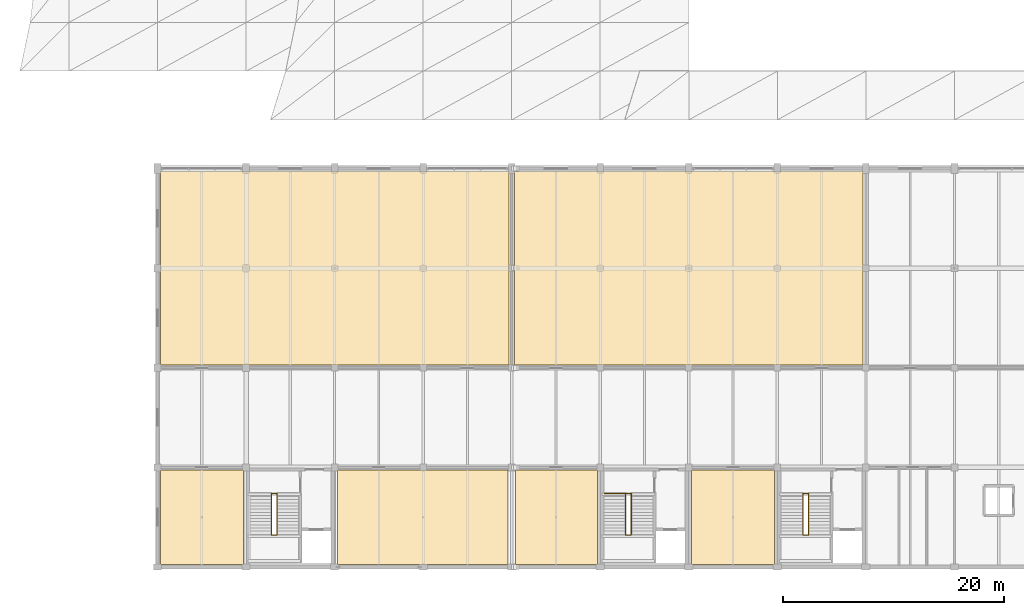
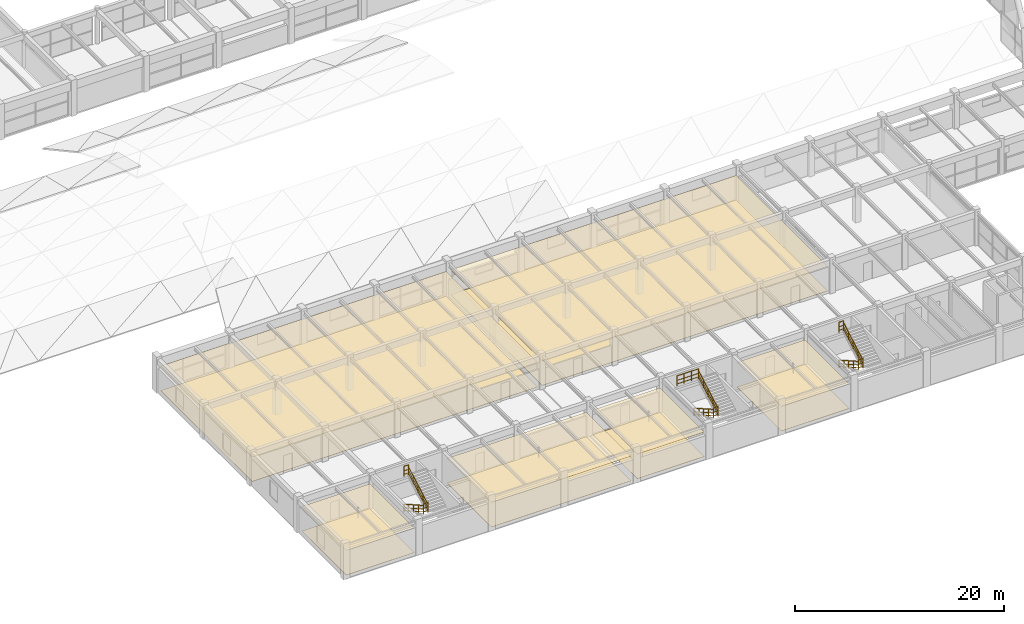
# One storey, part 122 of 126: 12 coverings, 12 railings.
"""IFC4 building model written with IfcOpenShell, lengths in metres."""

from ifc_helpers import new_model, si_unit, direction, frame, origin, origin_2d, place, context, subcontext, project, spatial, polyline, circle, outline, extrude, material, layer, layer_set, type_object, element, save


model = new_model("IFC4")

# Units and contexts
model_context = context("Model", 3, precision=1e-05, world=origin(), true_north=direction((0.0, 1.0)))
body_context = subcontext(model_context, "Body", "Model", "MODEL_VIEW")
ifc_project = project(units=[si_unit("LENGTHUNIT", "METRE"), si_unit("AREAUNIT", "SQUARE_METRE"), si_unit("VOLUMEUNIT", "CUBIC_METRE"), si_unit("PLANEANGLEUNIT", "RADIAN"), si_unit("MASSUNIT", "GRAM", prefix="KILO")], contexts=[model_context])

# Site, building, storey
site_placement = place(None, origin())
site = spatial("IfcSite", under=ifc_project, at=site_placement, CompositionType="ELEMENT")
building_placement = place(site_placement, origin())
building = spatial("IfcBuilding", under=site, at=building_placement, Name="Varnabhumi Central Station", CompositionType="ELEMENT")
storey_placement = place(building_placement, frame((0.0, 0.0, 16.199951171875)))
storey = spatial("IfcBuildingStorey", under=building, at=storey_placement, Name="L03", CompositionType="ELEMENT", Elevation=16.199951171875)

# Coverings
ifc_material_1 = material(Name="Mineral-fibre acoustic tile")
ifc_layer_1 = layer(ifc_material_1, 0.02490234375, Name="Mineral-fibre acoustic tile")
ifc_layer_set_1 = layer_set([ifc_layer_1], Name="Mineral-fibre acoustic tile")
covering_type_1 = type_object("IfcCoveringType", Name="COV-CEIL-ACOUSTIC", PredefinedType="CEILING", material=ifc_layer_set_1)
covering_1_placement = place(storey_placement, frame((0.0, 0.0, 2.8701171875)))
element("IfcCovering", 1, at=covering_1_placement, inside=storey, type_object=covering_type_1, Name="Station Master Panel Cabin and SM-OCIP Acoustic Ceiling", PredefinedType="CEILING", context=body_context, shape_type="SweptSolid", body=[
    extrude(outline(polyline([(32.25, 18.25), (63.75, 18.25), (63.75, 35.75), (32.25, 35.75), (32.25, 18.25)])), origin(), (0.0, 0.0, 1.0), 0.02490234375),
])
covering_2_placement = place(storey_placement, frame((0.0, 0.0, 2.8701171875)))
element("IfcCovering", 2, at=covering_2_placement, inside=storey, type_object=covering_type_1, Name="Station Control Room Acoustic Ceiling", PredefinedType="CEILING", context=body_context, shape_type="SweptSolid", body=[
    extrude(outline(polyline([(64.25, 18.25), (95.75, 18.25), (95.75, 35.75), (64.25, 35.75), (64.25, 18.25)])), origin(), (0.0, 0.0, 1.0), 0.02490234375),
])
covering_3_placement = place(storey_placement, frame((0.0, 0.0, 2.8701171875)))
element("IfcCovering", 3, at=covering_3_placement, inside=storey, type_object=covering_type_1, Name="Duty Operations Briefing Room Acoustic Ceiling", PredefinedType="CEILING", context=body_context, shape_type="SweptSolid", body=[
    extrude(outline(polyline([(32.25, 0.25), (39.75, 0.25), (39.75, 8.75), (32.25, 8.75), (32.25, 0.25)])), origin(), (0.0, 0.0, 1.0), 0.02490234375),
])
covering_4_placement = place(storey_placement, frame((0.0, 0.0, 2.8701171875)))
element("IfcCovering", 4, at=covering_4_placement, inside=storey, type_object=covering_type_1, Name="Integrated CCTV and Security Analytics Room Acoustic Ceiling", PredefinedType="CEILING", context=body_context, shape_type="SweptSolid", body=[
    extrude(outline(polyline([(80.25, 0.25), (87.75, 0.25), (87.75, 8.75), (80.25, 8.75), (80.25, 0.25)])), origin(), (0.0, 0.0, 1.0), 0.02490234375),
])
covering_5_placement = place(storey_placement, frame((0.0, 0.0, 2.8701171875)))
element("IfcCovering", 5, at=covering_5_placement, inside=storey, type_object=covering_type_1, Name="Railway Security Radio Control Room Acoustic Ceiling", PredefinedType="CEILING", context=body_context, shape_type="SweptSolid", body=[
    extrude(outline(polyline([(48.25, 0.25), (63.64990234375, 0.25), (63.64990234375, 8.75), (48.25, 8.75), (48.25, 0.25)])), origin(), (0.0, 0.0, 1.0), 0.02490234375),
])
covering_6_placement = place(storey_placement, frame((0.0, 0.0, 2.8701171875)))
element("IfcCovering", 6, at=covering_6_placement, inside=storey, type_object=covering_type_1, Name="Railway Security Radio Control Room Acoustic Ceiling", PredefinedType="CEILING", context=body_context, shape_type="SweptSolid", body=[
    extrude(outline(polyline([(64.35009765625, 0.25), (71.75, 0.25), (71.75, 8.75), (64.35009765625, 8.75), (64.35009765625, 0.25)])), origin(), (0.0, 0.0, 1.0), 0.02490234375),
])
ifc_material_2 = material(Name="Vitrified granite stone flooring", Category="masonry")
ifc_layer_2 = layer(ifc_material_2, 0.030029296875, Name="Vitrified granite stone flooring", Category="masonry")
ifc_layer_set_2 = layer_set([ifc_layer_2], Name="Vitrified granite stone flooring")
covering_type_2 = type_object("IfcCoveringType", Name="COV-FLOR-GRANITE", PredefinedType="FLOORING", material=ifc_layer_set_2)
covering_7_placement = place(storey_placement, origin())
element("IfcCovering", 7, at=covering_7_placement, inside=storey, type_object=covering_type_2, Name="Station Master Panel Cabin and SM-OCIP Granite Flooring", PredefinedType="FLOORING", context=body_context, shape_type="SweptSolid", body=[
    extrude(outline(polyline([(32.25, 18.25), (63.75, 18.25), (63.75, 35.75), (32.25, 35.75), (32.25, 18.25)])), origin(), (0.0, 0.0, 1.0), 0.030029296875),
])
covering_8_placement = place(storey_placement, origin())
element("IfcCovering", 8, at=covering_8_placement, inside=storey, type_object=covering_type_2, Name="Station Control Room Granite Flooring", PredefinedType="FLOORING", context=body_context, shape_type="SweptSolid", body=[
    extrude(outline(polyline([(64.25, 18.25), (95.75, 18.25), (95.75, 35.75), (64.25, 35.75), (64.25, 18.25)])), origin(), (0.0, 0.0, 1.0), 0.030029296875),
])
covering_9_placement = place(storey_placement, origin())
element("IfcCovering", 9, at=covering_9_placement, inside=storey, type_object=covering_type_2, Name="Duty Operations Briefing Room Granite Flooring", PredefinedType="FLOORING", context=body_context, shape_type="SweptSolid", body=[
    extrude(outline(polyline([(32.25, 0.25), (39.75, 0.25), (39.75, 8.75), (32.25, 8.75), (32.25, 0.25)])), origin(), (0.0, 0.0, 1.0), 0.030029296875),
])
covering_10_placement = place(storey_placement, origin())
element("IfcCovering", 10, at=covering_10_placement, inside=storey, type_object=covering_type_2, Name="Integrated CCTV and Security Analytics Room Granite Flooring", PredefinedType="FLOORING", context=body_context, shape_type="SweptSolid", body=[
    extrude(outline(polyline([(80.25, 0.25), (87.75, 0.25), (87.75, 8.75), (80.25, 8.75), (80.25, 0.25)])), origin(), (0.0, 0.0, 1.0), 0.030029296875),
])
covering_11_placement = place(storey_placement, origin())
element("IfcCovering", 11, at=covering_11_placement, inside=storey, type_object=covering_type_2, Name="Railway Security Radio Control Room Granite Flooring", PredefinedType="FLOORING", context=body_context, shape_type="SweptSolid", body=[
    extrude(outline(polyline([(48.25, 0.25), (63.64990234375, 0.25), (63.64990234375, 8.75), (48.25, 8.75), (48.25, 0.25)])), origin(), (0.0, 0.0, 1.0), 0.030029296875),
])
covering_12_placement = place(storey_placement, origin())
element("IfcCovering", 12, at=covering_12_placement, inside=storey, type_object=covering_type_2, Name="Railway Security Radio Control Room Granite Flooring", PredefinedType="FLOORING", context=body_context, shape_type="SweptSolid", body=[
    extrude(outline(polyline([(64.35009765625, 0.25), (71.75, 0.25), (71.75, 8.75), (64.35009765625, 8.75), (64.35009765625, 0.25)])), origin(), (0.0, 0.0, 1.0), 0.030029296875),
])

# Railings
ifc_material_3 = material(Name="Stainless steel Grade 316", Category="steel")
railing_type_1 = type_object("IfcRailingType", Name="RAIL-STAIR-GRD-1150", PredefinedType="GUARDRAIL", material=ifc_material_3)
for number, where, name in (
    (13, (42.300048828125, 2.89501953125, 2.10009765625), "ST-S1 L03 Half-Landing Well Guard"),
    (14, (42.300048828125, 6.639892578125, 4.199951171875), "ST-S1 L03 Arrival Slot Guard"),
    (15, (90.300048828125, 2.89501953125, 2.10009765625), "ST-S2 L03 Half-Landing Well Guard"),
    (16, (90.300048828125, 6.639892578125, 4.199951171875), "ST-S2 L03 Arrival Slot Guard"),
    (17, (74.300048828125, 2.89501953125, 2.10009765625), "ST-S4 L03 Half-Landing Well Guard"),
):
    element("IfcRailing", number, at=place(storey_placement, frame(where)), inside=storey, type_object=railing_type_1, Name=name, PredefinedType="GUARDRAIL", context=body_context, shape_type="SweptSolid", body=[
        extrude(circle(Radius=0.02392578125, at=origin_2d()), frame((0.0, 0.0, 1.1259765625), z_axis=(1.0, 0.0, 0.0), x_axis=(0.0, 1.0, 0.0)), (0.0, 0.0, 1.0), 0.5),
        extrude(circle(Radius=0.01416015625, at=origin_2d()), frame((0.0, 0.0, 0.597900390625), z_axis=(1.0, 0.0, 0.0), x_axis=(0.0, 1.0, 0.0)), (0.0, 0.0, 1.0), 0.5),
        extrude(circle(Radius=0.01416015625, at=origin_2d()), frame((0.0, 0.0, 0.18408203125), z_axis=(1.0, 0.0, 0.0), x_axis=(0.0, 1.0, 0.0)), (0.0, 0.0, 1.0), 0.5),
        extrude(circle(Radius=0.02099609375, at=origin_2d()), origin(), (0.0, 0.0, 1.0), 1.101806640625),
        extrude(circle(Radius=0.02099609375, at=origin_2d()), frame((0.5, 0.0, 0.0)), (0.0, 0.0, 1.0), 1.101806640625),
    ])
railing_1_placement = place(storey_placement, frame((72.39990234375, 6.639892578125, 4.199951171875)))
element("IfcRailing", 18, at=railing_1_placement, inside=storey, type_object=railing_type_1, Name="ST-S4 Top Well Guard", PredefinedType="GUARDRAIL", context=body_context, shape_type="SweptSolid", body=[
    extrude(circle(Radius=0.02392578125, at=origin_2d()), frame((0.0, 0.0, 1.1259765625), z_axis=(1.0, 0.0, 0.0), x_axis=(0.0, 1.0, 0.0)), (0.0, 0.0, 1.0), 2.400146484375),
    extrude(circle(Radius=0.01416015625, at=origin_2d()), frame((0.0, 0.0, 0.597900390625), z_axis=(1.0, 0.0, 0.0), x_axis=(0.0, 1.0, 0.0)), (0.0, 0.0, 1.0), 2.400146484375),
    extrude(circle(Radius=0.01416015625, at=origin_2d()), frame((0.0, 0.0, 0.18408203125), z_axis=(1.0, 0.0, 0.0), x_axis=(0.0, 1.0, 0.0)), (0.0, 0.0, 1.0), 2.400146484375),
    extrude(circle(Radius=0.02099609375, at=origin_2d()), origin(), (0.0, 0.0, 1.0), 1.101806640625),
    extrude(circle(Radius=0.02099609375, at=origin_2d()), frame((0.800048828125, 0.0, 0.0)), (0.0, 0.0, 1.0), 1.101806640625),
    extrude(circle(Radius=0.02099609375, at=origin_2d()), frame((1.60009765625, 0.0, 0.0)), (0.0, 0.0, 1.0), 1.101806640625),
    extrude(circle(Radius=0.02099609375, at=origin_2d()), frame((2.400146484375, 0.0, 0.0)), (0.0, 0.0, 1.0), 1.101806640625),
])
railing_type_2 = type_object("IfcRailingType", Name="RAIL-STAIR-HR-920", PredefinedType="HANDRAIL", material=ifc_material_3)
railing_2_placement = place(storey_placement, frame((42.300048828125, 6.659912109375, 0.0)))
element("IfcRailing", 19, at=railing_2_placement, inside=storey, type_object=railing_type_2, Name="ST-S1 L03 Flight 1 Handrail", PredefinedType="HANDRAIL", context=body_context, shape_type="SweptSolid", body=[
    extrude(circle(Radius=0.02392578125, at=origin_2d()), frame((0.0, 0.0, 0.89599609375), z_axis=(0.0, -0.869952506034, 0.493135516106), x_axis=(1.0, 0.0, 0.0)), (0.0, 0.0, 1.0), 4.258544921875),
    extrude(circle(Radius=0.01416015625, at=origin_2d()), frame((0.0, 0.0, 0.478271484375), z_axis=(0.0, -0.869952506034, 0.493135516106), x_axis=(1.0, 0.0, 0.0)), (0.0, 0.0, 1.0), 4.258544921875),
    extrude(circle(Radius=0.01416015625, at=origin_2d()), frame((0.0, 0.0, 0.147216796875), z_axis=(0.0, -0.869952506034, 0.493135516106), x_axis=(1.0, 0.0, 0.0)), (0.0, 0.0, 1.0), 4.258544921875),
    extrude(circle(Radius=0.02099609375, at=origin_2d()), origin(), (0.0, 0.0, 1.0), 0.871826171875),
    extrude(circle(Radius=0.02099609375, at=origin_2d()), frame((0.0, -0.92626953125, 0.52490234375)), (0.0, 0.0, 1.0), 0.871826171875),
    extrude(circle(Radius=0.02099609375, at=origin_2d()), frame((0.0, -1.8525390625, 1.050048828125)), (0.0, 0.0, 1.0), 0.871826171875),
    extrude(circle(Radius=0.02099609375, at=origin_2d()), frame((0.0, -2.778564453125, 1.5751953125)), (0.0, 0.0, 1.0), 0.871826171875),
    extrude(circle(Radius=0.02099609375, at=origin_2d()), frame((0.0, -3.704833984375, 2.10009765625)), (0.0, 0.0, 1.0), 0.871826171875),
])
railing_3_placement = place(storey_placement, frame((42.800048828125, 2.955078125, 2.10009765625)))
element("IfcRailing", 20, at=railing_3_placement, inside=storey, type_object=railing_type_2, Name="ST-S1 L03 Flight 2 Handrail", PredefinedType="HANDRAIL", context=body_context, shape_type="SweptSolid", body=[
    extrude(circle(Radius=0.02392578125, at=origin_2d()), frame((0.0, 0.0, 0.89599609375), z_axis=(0.0, 0.869977099619, 0.493092127435), x_axis=(-1.0, 0.0, 0.0)), (0.0, 0.0, 1.0), 4.258544921875),
    extrude(circle(Radius=0.01416015625, at=origin_2d()), frame((0.0, 0.0, 0.478271484375), z_axis=(0.0, 0.869977099619, 0.493092127435), x_axis=(-1.0, 0.0, 0.0)), (0.0, 0.0, 1.0), 4.258544921875),
    extrude(circle(Radius=0.01416015625, at=origin_2d()), frame((0.0, 0.0, 0.147216796875), z_axis=(0.0, 0.869977099619, 0.493092127435), x_axis=(-1.0, 0.0, 0.0)), (0.0, 0.0, 1.0), 4.258544921875),
    extrude(circle(Radius=0.02099609375, at=origin_2d()), origin(), (0.0, 0.0, 1.0), 0.871826171875),
    extrude(circle(Radius=0.02099609375, at=origin_2d()), frame((0.0, 0.92626953125, 0.52490234375)), (0.0, 0.0, 1.0), 0.871826171875),
    extrude(circle(Radius=0.02099609375, at=origin_2d()), frame((0.0, 1.8525390625, 1.0498046875)), (0.0, 0.0, 1.0), 0.871826171875),
    extrude(circle(Radius=0.02099609375, at=origin_2d()), frame((0.0, 2.778564453125, 1.574951171875)), (0.0, 0.0, 1.0), 0.871826171875),
    extrude(circle(Radius=0.02099609375, at=origin_2d()), frame((0.0, 3.704833984375, 2.099853515625)), (0.0, 0.0, 1.0), 0.871826171875),
])
railing_4_placement = place(storey_placement, frame((90.300048828125, 6.659912109375, 0.0)))
element("IfcRailing", 21, at=railing_4_placement, inside=storey, type_object=railing_type_2, Name="ST-S2 L03 Flight 1 Handrail", PredefinedType="HANDRAIL", context=body_context, shape_type="SweptSolid", body=[
    extrude(circle(Radius=0.02392578125, at=origin_2d()), frame((0.0, 0.0, 0.89599609375), z_axis=(0.0, -0.869952506034, 0.493135516106), x_axis=(1.0, 0.0, 0.0)), (0.0, 0.0, 1.0), 4.258544921875),
    extrude(circle(Radius=0.01416015625, at=origin_2d()), frame((0.0, 0.0, 0.478271484375), z_axis=(0.0, -0.869952506034, 0.493135516106), x_axis=(1.0, 0.0, 0.0)), (0.0, 0.0, 1.0), 4.258544921875),
    extrude(circle(Radius=0.01416015625, at=origin_2d()), frame((0.0, 0.0, 0.147216796875), z_axis=(0.0, -0.869952506034, 0.493135516106), x_axis=(1.0, 0.0, 0.0)), (0.0, 0.0, 1.0), 4.258544921875),
    extrude(circle(Radius=0.02099609375, at=origin_2d()), origin(), (0.0, 0.0, 1.0), 0.871826171875),
    extrude(circle(Radius=0.02099609375, at=origin_2d()), frame((0.0, -0.92626953125, 0.52490234375)), (0.0, 0.0, 1.0), 0.871826171875),
    extrude(circle(Radius=0.02099609375, at=origin_2d()), frame((0.0, -1.8525390625, 1.050048828125)), (0.0, 0.0, 1.0), 0.871826171875),
    extrude(circle(Radius=0.02099609375, at=origin_2d()), frame((0.0, -2.778564453125, 1.5751953125)), (0.0, 0.0, 1.0), 0.871826171875),
    extrude(circle(Radius=0.02099609375, at=origin_2d()), frame((0.0, -3.704833984375, 2.10009765625)), (0.0, 0.0, 1.0), 0.871826171875),
])
railing_5_placement = place(storey_placement, frame((90.800048828125, 2.955078125, 2.10009765625)))
element("IfcRailing", 22, at=railing_5_placement, inside=storey, type_object=railing_type_2, Name="ST-S2 L03 Flight 2 Handrail", PredefinedType="HANDRAIL", context=body_context, shape_type="SweptSolid", body=[
    extrude(circle(Radius=0.02392578125, at=origin_2d()), frame((0.0, 0.0, 0.89599609375), z_axis=(0.0, 0.869977099619, 0.493092127435), x_axis=(-1.0, 0.0, 0.0)), (0.0, 0.0, 1.0), 4.258544921875),
    extrude(circle(Radius=0.01416015625, at=origin_2d()), frame((0.0, 0.0, 0.478271484375), z_axis=(0.0, 0.869977099619, 0.493092127435), x_axis=(-1.0, 0.0, 0.0)), (0.0, 0.0, 1.0), 4.258544921875),
    extrude(circle(Radius=0.01416015625, at=origin_2d()), frame((0.0, 0.0, 0.147216796875), z_axis=(0.0, 0.869977099619, 0.493092127435), x_axis=(-1.0, 0.0, 0.0)), (0.0, 0.0, 1.0), 4.258544921875),
    extrude(circle(Radius=0.02099609375, at=origin_2d()), origin(), (0.0, 0.0, 1.0), 0.871826171875),
    extrude(circle(Radius=0.02099609375, at=origin_2d()), frame((0.0, 0.92626953125, 0.52490234375)), (0.0, 0.0, 1.0), 0.871826171875),
    extrude(circle(Radius=0.02099609375, at=origin_2d()), frame((0.0, 1.8525390625, 1.0498046875)), (0.0, 0.0, 1.0), 0.871826171875),
    extrude(circle(Radius=0.02099609375, at=origin_2d()), frame((0.0, 2.778564453125, 1.574951171875)), (0.0, 0.0, 1.0), 0.871826171875),
    extrude(circle(Radius=0.02099609375, at=origin_2d()), frame((0.0, 3.704833984375, 2.099853515625)), (0.0, 0.0, 1.0), 0.871826171875),
])
railing_6_placement = place(storey_placement, frame((74.300048828125, 6.659912109375, 0.0)))
element("IfcRailing", 23, at=railing_6_placement, inside=storey, type_object=railing_type_2, Name="ST-S4 L03 Flight 1 Handrail", PredefinedType="HANDRAIL", context=body_context, shape_type="SweptSolid", body=[
    extrude(circle(Radius=0.02392578125, at=origin_2d()), frame((0.0, 0.0, 0.89599609375), z_axis=(0.0, -0.869952506034, 0.493135516106), x_axis=(1.0, 0.0, 0.0)), (0.0, 0.0, 1.0), 4.258544921875),
    extrude(circle(Radius=0.01416015625, at=origin_2d()), frame((0.0, 0.0, 0.478271484375), z_axis=(0.0, -0.869952506034, 0.493135516106), x_axis=(1.0, 0.0, 0.0)), (0.0, 0.0, 1.0), 4.258544921875),
    extrude(circle(Radius=0.01416015625, at=origin_2d()), frame((0.0, 0.0, 0.147216796875), z_axis=(0.0, -0.869952506034, 0.493135516106), x_axis=(1.0, 0.0, 0.0)), (0.0, 0.0, 1.0), 4.258544921875),
    extrude(circle(Radius=0.02099609375, at=origin_2d()), origin(), (0.0, 0.0, 1.0), 0.871826171875),
    extrude(circle(Radius=0.02099609375, at=origin_2d()), frame((0.0, -0.92626953125, 0.52490234375)), (0.0, 0.0, 1.0), 0.871826171875),
    extrude(circle(Radius=0.02099609375, at=origin_2d()), frame((0.0, -1.8525390625, 1.050048828125)), (0.0, 0.0, 1.0), 0.871826171875),
    extrude(circle(Radius=0.02099609375, at=origin_2d()), frame((0.0, -2.778564453125, 1.5751953125)), (0.0, 0.0, 1.0), 0.871826171875),
    extrude(circle(Radius=0.02099609375, at=origin_2d()), frame((0.0, -3.704833984375, 2.10009765625)), (0.0, 0.0, 1.0), 0.871826171875),
])
railing_7_placement = place(storey_placement, frame((74.800048828125, 2.955078125, 2.10009765625)))
element("IfcRailing", 24, at=railing_7_placement, inside=storey, type_object=railing_type_2, Name="ST-S4 L03 Flight 2 Handrail", PredefinedType="HANDRAIL", context=body_context, shape_type="SweptSolid", body=[
    extrude(circle(Radius=0.02392578125, at=origin_2d()), frame((0.0, 0.0, 0.89599609375), z_axis=(0.0, 0.869977099619, 0.493092127435), x_axis=(-1.0, 0.0, 0.0)), (0.0, 0.0, 1.0), 4.258544921875),
    extrude(circle(Radius=0.01416015625, at=origin_2d()), frame((0.0, 0.0, 0.478271484375), z_axis=(0.0, 0.869977099619, 0.493092127435), x_axis=(-1.0, 0.0, 0.0)), (0.0, 0.0, 1.0), 4.258544921875),
    extrude(circle(Radius=0.01416015625, at=origin_2d()), frame((0.0, 0.0, 0.147216796875), z_axis=(0.0, 0.869977099619, 0.493092127435), x_axis=(-1.0, 0.0, 0.0)), (0.0, 0.0, 1.0), 4.258544921875),
    extrude(circle(Radius=0.02099609375, at=origin_2d()), origin(), (0.0, 0.0, 1.0), 0.871826171875),
    extrude(circle(Radius=0.02099609375, at=origin_2d()), frame((0.0, 0.92626953125, 0.52490234375)), (0.0, 0.0, 1.0), 0.871826171875),
    extrude(circle(Radius=0.02099609375, at=origin_2d()), frame((0.0, 1.8525390625, 1.0498046875)), (0.0, 0.0, 1.0), 0.871826171875),
    extrude(circle(Radius=0.02099609375, at=origin_2d()), frame((0.0, 2.778564453125, 1.574951171875)), (0.0, 0.0, 1.0), 0.871826171875),
    extrude(circle(Radius=0.02099609375, at=origin_2d()), frame((0.0, 3.704833984375, 2.099853515625)), (0.0, 0.0, 1.0), 0.871826171875),
])

save(model, "model.ifc")
